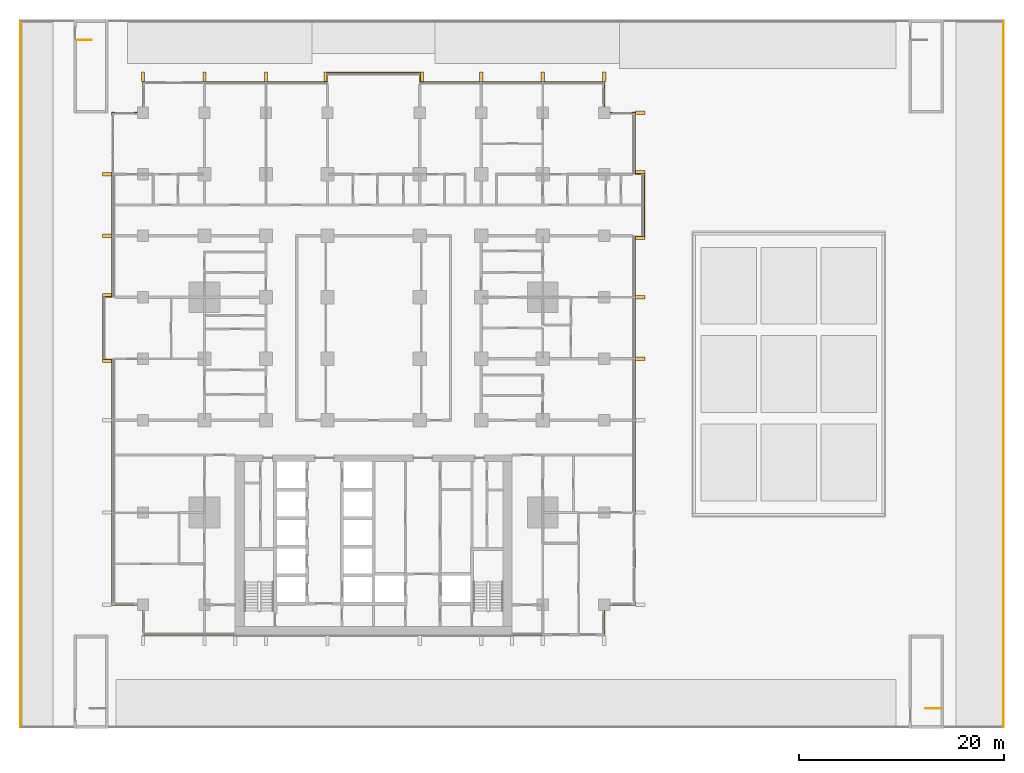
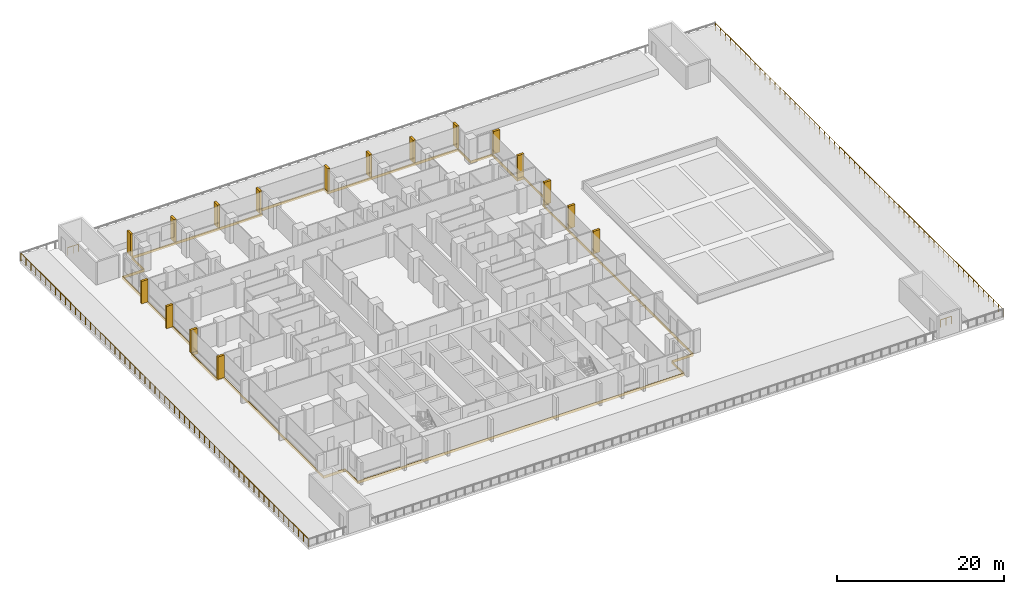
# One storey, part 24 of 25: 17 shading devices, 4 railings, 1 covering.
"""IFC4 building model written with IfcOpenShell, lengths in metres."""

from ifc_helpers import new_model, si_unit, direction, frame, origin, origin_2d, place, context, subcontext, project, spatial, polyline, rectangle, circle, outline, extrude, material, layer, layer_set, type_object, element, save


model = new_model("IFC4")

# Units and contexts
model_context = context("Model", 3, precision=1e-05, world=origin(), true_north=direction((0.0, 1.0)))
body_context = subcontext(model_context, "Body", "Model", "MODEL_VIEW")
ifc_project = project(units=[si_unit("LENGTHUNIT", "METRE"), si_unit("AREAUNIT", "SQUARE_METRE"), si_unit("VOLUMEUNIT", "CUBIC_METRE"), si_unit("PLANEANGLEUNIT", "RADIAN"), si_unit("MASSUNIT", "GRAM", prefix="KILO")], contexts=[model_context])

# Site, building, storey
site_placement = place(None, origin())
site = spatial("IfcSite", under=ifc_project, at=site_placement, CompositionType="ELEMENT")
building_placement = place(site_placement, origin())
building = spatial("IfcBuilding", under=site, at=building_placement, Name="Finial Court Residences", CompositionType="ELEMENT")
storey_placement = place(building_placement, frame((0.0, 0.0, 32.5)))
storey = spatial("IfcBuildingStorey", under=building, at=storey_placement, Name="L06", CompositionType="ELEMENT", Elevation=32.5)

# Shading devices
ifc_material_1 = material(Name="Natural limestone", Category="masonry")
shading_device_type = type_object("IfcShadingDeviceType", Name="Limestone fin 300 x 900", PredefinedType="USERDEFINED", material=ifc_material_1)
for number, where, z_axis, x_axis, name in (
    (1, (-22.5, 29.010009765625, 0.0), (0.0, 0.0, 1.0), (1.0, 0.0, 0.0), "E-L06-FIN-N1"),
    (2, (-16.5, 29.010009765625, 0.0), (0.0, 0.0, 1.0), (1.0, 0.0, 0.0), "E-L06-FIN-N2"),
    (3, (-10.5, 29.010009765625, 0.0), (0.0, 0.0, 1.0), (1.0, 0.0, 0.0), "E-L06-FIN-N3"),
    (4, (-4.7099609375, 29.010009765625, 0.0), (0.0, 0.0, 1.0), (1.0, 0.0, 0.0), "E-L06-FIN-N4"),
    (5, (4.7099609375, 29.010009765625, 0.0), (0.0, 0.0, 1.0), (1.0, 0.0, 0.0), "E-L06-FIN-N5"),
    (6, (10.5, 29.010009765625, 0.0), (0.0, 0.0, 1.0), (1.0, 0.0, 0.0), "E-L06-FIN-N6"),
    (7, (16.5, 29.010009765625, 0.0), (0.0, 0.0, 1.0), (1.0, 0.0, 0.0), "E-L06-FIN-N7"),
    (8, (22.5, 29.010009765625, 0.0), (0.0, 0.0, 1.0), (1.0, 0.0, 0.0), "E-L06-FIN-N8"),
):
    element("IfcShadingDevice", number, at=place(storey_placement, frame(where, z_axis=z_axis, x_axis=x_axis)), inside=storey, type_object=shading_device_type, Name=name, ObjectType="FIN", PredefinedType="USERDEFINED", context=body_context, shape_type="SweptSolid", body=[
        extrude(rectangle(XDim=0.300048828125, YDim=0.89990234375, at=origin_2d()), origin(), (0.0, 0.0, 1.0), 3.280029296875),
    ])
for number, where, z_axis, x_axis, name in (
    (9, (26.010009765625, 1.5, 0.0), (0.0, 0.0, 1.0), (1.0, 0.0, 0.0), "E-L06-FIN-E12"),
    (10, (26.010009765625, 7.5, 0.0), (0.0, 0.0, 1.0), (1.0, 0.0, 0.0), "E-L06-FIN-E13"),
    (11, (26.010009765625, 13.2900390625, 0.0), (0.0, 0.0, 1.0), (1.0, 0.0, 0.0), "E-L06-FIN-E14"),
    (12, (26.010009765625, 19.7099609375, 0.0), (0.0, 0.0, 1.0), (1.0, 0.0, 0.0), "E-L06-FIN-E15"),
    (13, (26.010009765625, 25.5, 0.0), (0.0, 0.0, 1.0), (1.0, 0.0, 0.0), "E-L06-FIN-E16"),
    (14, (-26.010009765625, 1.2900390625, 0.0), (0.0, 0.0, 1.0), (1.0, 0.0, 0.0), "E-L06-FIN-W30"),
    (15, (-26.010009765625, 7.7099609375, 0.0), (0.0, 0.0, 1.0), (1.0, 0.0, 0.0), "E-L06-FIN-W31"),
    (16, (-26.010009765625, 13.5, 0.0), (0.0, 0.0, 1.0), (1.0, 0.0, 0.0), "E-L06-FIN-W32"),
    (17, (-26.010009765625, 19.5, 0.0), (0.0, 0.0, 1.0), (1.0, 0.0, 0.0), "E-L06-FIN-W33"),
):
    element("IfcShadingDevice", number, at=place(storey_placement, frame(where, z_axis=z_axis, x_axis=x_axis)), inside=storey, type_object=shading_device_type, Name=name, ObjectType="FIN", PredefinedType="USERDEFINED", context=body_context, shape_type="SweptSolid", body=[
        extrude(rectangle(XDim=0.89990234375, YDim=0.300048828125, at=origin_2d()), origin(), (0.0, 0.0, 1.0), 3.280029296875),
    ])

# Covering
ifc_material_2 = material(Name="Pale limestone", Category="masonry")
ifc_layer = layer(ifc_material_2, 0.06005859375)
ifc_layer_set = layer_set([ifc_layer], Name="Pale limestone slab-edge band 60")
covering_type = type_object("IfcCoveringType", Name="Pale limestone slab-edge band 60", PredefinedType="CLADDING", material=ifc_layer_set)
covering_placement = place(storey_placement, frame((0.0, 0.0, -0.39990234375)))
element("IfcCovering", 18, at=covering_placement, inside=storey, type_object=covering_type, Name="E-L06-BAND1", PredefinedType="CLADDING", context=body_context, shape_type="SweptSolid", body=[
    extrude(outline(polyline([(-22.56005859375, -22.56005859375), (-25.56005859375, -22.56005859375), (-25.56005859375, 1.43994140625), (-26.4599609375, 1.43994140625), (-26.4599609375, 7.56005859375), (-25.56005859375, 7.56005859375), (-25.56005859375, 25.56005859375), (-22.56005859375, 25.56005859375), (-22.56005859375, 28.56005859375), (-4.56005859375, 28.56005859375), (-4.56005859375, 29.4599609375), (4.56005859375, 29.4599609375), (4.56005859375, 28.56005859375), (22.56005859375, 28.56005859375), (22.56005859375, 25.56005859375), (25.56005859375, 25.56005859375), (25.56005859375, 19.56005859375), (26.4599609375, 19.56005859375), (26.4599609375, 13.43994140625), (25.56005859375, 13.43994140625), (25.56005859375, -22.56005859375), (22.56005859375, -22.56005859375), (22.56005859375, -25.56005859375), (-22.56005859375, -25.56005859375), (-22.56005859375, -22.56005859375)]), holes=[polyline([(22.5, -25.5), (22.5, -22.5), (25.5, -22.5), (25.5, 13.5), (26.39990234375, 13.5), (26.39990234375, 19.5), (25.5, 19.5), (25.5, 25.5), (22.5, 25.5), (22.5, 28.5), (4.5, 28.5), (4.5, 29.39990234375), (-4.5, 29.39990234375), (-4.5, 28.5), (-22.5, 28.5), (-22.5, 25.5), (-25.5, 25.5), (-25.5, 7.5), (-26.39990234375, 7.5), (-26.39990234375, 1.5), (-25.5, 1.5), (-25.5, -22.5), (-22.5, -22.5), (-22.5, -25.5), (22.5, -25.5)])]), origin(), (0.0, 0.0, 1.0), 0.39990234375),
])

# Railings
ifc_material_3 = material(Name="Stainless steel railing", Category="steel")
railing_type_1 = type_object("IfcRailingType", Name="Stair guard 1100", PredefinedType="GUARDRAIL", material=ifc_material_3)
railing_1_placement = place(storey_placement, frame((55.35009765625, -32.60009765625, 0.0)))
element("IfcRailing", 19, at=railing_1_placement, inside=storey, type_object=railing_type_1, Name="L06 ST-3 top well guard 1", PredefinedType="GUARDRAIL", context=body_context, shape_type="SweptSolid", body=[
    extrude(circle(Radius=0.02392578125, at=origin_2d()), frame((0.0, 0.0, 1.076171875), z_axis=(-1.0, 0.0, 0.0), x_axis=(0.0, -1.0, 0.0)), (0.0, 0.0, 1.0), 1.5),
    extrude(circle(Radius=0.02099609375, at=origin_2d()), origin(), (0.0, 0.0, 1.0), 1.052001953125),
    extrude(circle(Radius=0.02099609375, at=origin_2d()), frame((-0.75, 0.0, 0.0)), (0.0, 0.0, 1.0), 1.052001953125),
    extrude(circle(Radius=0.02099609375, at=origin_2d()), frame((-1.5, 0.0, 0.0)), (0.0, 0.0, 1.0), 1.052001953125),
])
railing_2_placement = place(storey_placement, frame((-29.0, 32.60009765625, 0.0)))
element("IfcRailing", 20, at=railing_2_placement, inside=storey, type_object=railing_type_1, Name="L06 ST-6 top well guard 1", PredefinedType="GUARDRAIL", context=body_context, shape_type="SweptSolid", body=[
    extrude(circle(Radius=0.02392578125, at=origin_2d()), frame((0.0, 0.0, 1.076171875), z_axis=(1.0, 0.0, 0.0), x_axis=(0.0, 1.0, 0.0)), (0.0, 0.0, 1.0), 1.5),
    extrude(circle(Radius=0.02099609375, at=origin_2d()), origin(), (0.0, 0.0, 1.0), 1.052001953125),
    extrude(circle(Radius=0.02099609375, at=origin_2d()), frame((0.75, 0.0, 0.0)), (0.0, 0.0, 1.0), 1.052001953125),
    extrude(circle(Radius=0.02099609375, at=origin_2d()), frame((1.5, 0.0, 0.0)), (0.0, 0.0, 1.0), 1.052001953125),
])
ifc_material_4 = material(Name="Bronze anodised aluminium", Category="aluminium")
railing_type_2 = type_object("IfcRailingType", Name="Terrace guard 1100", PredefinedType="GUARDRAIL", material=ifc_material_4)
railing_3_placement = place(storey_placement, frame((61.43994140625, 34.389892578125, 0.0)))
element("IfcRailing", 21, at=railing_3_placement, inside=storey, type_object=railing_type_2, Name="E-L06-TER1-R1-2", PredefinedType="GUARDRAIL", context=body_context, shape_type="SweptSolid", body=[
    extrude(circle(Radius=0.02392578125, at=origin_2d()), frame((0.0, 0.0, 1.076171875), z_axis=(0.0, -1.0, 0.0), x_axis=(1.0, 0.0, 0.0)), (0.0, 0.0, 1.0), 68.829833984375),
    extrude(circle(Radius=0.02099609375, at=origin_2d()), origin(), (0.0, 0.0, 1.0), 1.052001953125),
    extrude(circle(Radius=0.02099609375, at=origin_2d()), frame((0.0, -1.186767578125, 0.0)), (0.0, 0.0, 1.0), 1.052001953125),
    extrude(circle(Radius=0.02099609375, at=origin_2d()), frame((0.0, -2.37353515625, 0.0)), (0.0, 0.0, 1.0), 1.052001953125),
    extrude(circle(Radius=0.02099609375, at=origin_2d()), frame((0.0, -3.56005859375, 0.0)), (0.0, 0.0, 1.0), 1.052001953125),
    extrude(circle(Radius=0.02099609375, at=origin_2d()), frame((0.0, -4.746826171875, 0.0)), (0.0, 0.0, 1.0), 1.052001953125),
    extrude(circle(Radius=0.02099609375, at=origin_2d()), frame((0.0, -5.93359375, 0.0)), (0.0, 0.0, 1.0), 1.052001953125),
    extrude(circle(Radius=0.02099609375, at=origin_2d()), frame((0.0, -7.120361328125, 0.0)), (0.0, 0.0, 1.0), 1.052001953125),
    extrude(circle(Radius=0.02099609375, at=origin_2d()), frame((0.0, -8.30712890625, 0.0)), (0.0, 0.0, 1.0), 1.052001953125),
    extrude(circle(Radius=0.02099609375, at=origin_2d()), frame((0.0, -9.49365234375, 0.0)), (0.0, 0.0, 1.0), 1.052001953125),
    extrude(circle(Radius=0.02099609375, at=origin_2d()), frame((0.0, -10.680419921875, 0.0)), (0.0, 0.0, 1.0), 1.052001953125),
    extrude(circle(Radius=0.02099609375, at=origin_2d()), frame((0.0, -11.8671875, 0.0)), (0.0, 0.0, 1.0), 1.052001953125),
    extrude(circle(Radius=0.02099609375, at=origin_2d()), frame((0.0, -13.053955078125, 0.0)), (0.0, 0.0, 1.0), 1.052001953125),
    extrude(circle(Radius=0.02099609375, at=origin_2d()), frame((0.0, -14.24072265625, 0.0)), (0.0, 0.0, 1.0), 1.052001953125),
    extrude(circle(Radius=0.02099609375, at=origin_2d()), frame((0.0, -15.427490234375, 0.0)), (0.0, 0.0, 1.0), 1.052001953125),
    extrude(circle(Radius=0.02099609375, at=origin_2d()), frame((0.0, -16.614013671875, 0.0)), (0.0, 0.0, 1.0), 1.052001953125),
    extrude(circle(Radius=0.02099609375, at=origin_2d()), frame((0.0, -17.80078125, 0.0)), (0.0, 0.0, 1.0), 1.052001953125),
    extrude(circle(Radius=0.02099609375, at=origin_2d()), frame((0.0, -18.987548828125, 0.0)), (0.0, 0.0, 1.0), 1.052001953125),
    extrude(circle(Radius=0.02099609375, at=origin_2d()), frame((0.0, -20.17431640625, 0.0)), (0.0, 0.0, 1.0), 1.052001953125),
    extrude(circle(Radius=0.02099609375, at=origin_2d()), frame((0.0, -21.361083984375, 0.0)), (0.0, 0.0, 1.0), 1.052001953125),
    extrude(circle(Radius=0.02099609375, at=origin_2d()), frame((0.0, -22.547607421875, 0.0)), (0.0, 0.0, 1.0), 1.052001953125),
    extrude(circle(Radius=0.02099609375, at=origin_2d()), frame((0.0, -23.734375, 0.0)), (0.0, 0.0, 1.0), 1.052001953125),
    extrude(circle(Radius=0.02099609375, at=origin_2d()), frame((0.0, -24.921142578125, 0.0)), (0.0, 0.0, 1.0), 1.052001953125),
    extrude(circle(Radius=0.02099609375, at=origin_2d()), frame((0.0, -26.10791015625, 0.0)), (0.0, 0.0, 1.0), 1.052001953125),
    extrude(circle(Radius=0.02099609375, at=origin_2d()), frame((0.0, -27.294677734375, 0.0)), (0.0, 0.0, 1.0), 1.052001953125),
    extrude(circle(Radius=0.02099609375, at=origin_2d()), frame((0.0, -28.481201171875, 0.0)), (0.0, 0.0, 1.0), 1.052001953125),
    extrude(circle(Radius=0.02099609375, at=origin_2d()), frame((0.0, -29.66796875, 0.0)), (0.0, 0.0, 1.0), 1.052001953125),
    extrude(circle(Radius=0.02099609375, at=origin_2d()), frame((0.0, -30.854736328125, 0.0)), (0.0, 0.0, 1.0), 1.052001953125),
    extrude(circle(Radius=0.02099609375, at=origin_2d()), frame((0.0, -32.04150390625, 0.0)), (0.0, 0.0, 1.0), 1.052001953125),
    extrude(circle(Radius=0.02099609375, at=origin_2d()), frame((0.0, -33.228271484375, 0.0)), (0.0, 0.0, 1.0), 1.052001953125),
    extrude(circle(Radius=0.02099609375, at=origin_2d()), frame((0.0, -34.4150390625, 0.0)), (0.0, 0.0, 1.0), 1.052001953125),
    extrude(circle(Radius=0.02099609375, at=origin_2d()), frame((0.0, -35.6015625, 0.0)), (0.0, 0.0, 1.0), 1.052001953125),
    extrude(circle(Radius=0.02099609375, at=origin_2d()), frame((0.0, -36.788330078125, 0.0)), (0.0, 0.0, 1.0), 1.052001953125),
    extrude(circle(Radius=0.02099609375, at=origin_2d()), frame((0.0, -37.97509765625, 0.0)), (0.0, 0.0, 1.0), 1.052001953125),
    extrude(circle(Radius=0.02099609375, at=origin_2d()), frame((0.0, -39.161865234375, 0.0)), (0.0, 0.0, 1.0), 1.052001953125),
    extrude(circle(Radius=0.02099609375, at=origin_2d()), frame((0.0, -40.3486328125, 0.0)), (0.0, 0.0, 1.0), 1.052001953125),
    extrude(circle(Radius=0.02099609375, at=origin_2d()), frame((0.0, -41.53515625, 0.0)), (0.0, 0.0, 1.0), 1.052001953125),
    extrude(circle(Radius=0.02099609375, at=origin_2d()), frame((0.0, -42.721923828125, 0.0)), (0.0, 0.0, 1.0), 1.052001953125),
    extrude(circle(Radius=0.02099609375, at=origin_2d()), frame((0.0, -43.90869140625, 0.0)), (0.0, 0.0, 1.0), 1.052001953125),
    extrude(circle(Radius=0.02099609375, at=origin_2d()), frame((0.0, -45.095458984375, 0.0)), (0.0, 0.0, 1.0), 1.052001953125),
    extrude(circle(Radius=0.02099609375, at=origin_2d()), frame((0.0, -46.2822265625, 0.0)), (0.0, 0.0, 1.0), 1.052001953125),
    extrude(circle(Radius=0.02099609375, at=origin_2d()), frame((0.0, -47.46875, 0.0)), (0.0, 0.0, 1.0), 1.052001953125),
    extrude(circle(Radius=0.02099609375, at=origin_2d()), frame((0.0, -48.655517578125, 0.0)), (0.0, 0.0, 1.0), 1.052001953125),
    extrude(circle(Radius=0.02099609375, at=origin_2d()), frame((0.0, -49.84228515625, 0.0)), (0.0, 0.0, 1.0), 1.052001953125),
    extrude(circle(Radius=0.02099609375, at=origin_2d()), frame((0.0, -51.029052734375, 0.0)), (0.0, 0.0, 1.0), 1.052001953125),
    extrude(circle(Radius=0.02099609375, at=origin_2d()), frame((0.0, -52.2158203125, 0.0)), (0.0, 0.0, 1.0), 1.052001953125),
    extrude(circle(Radius=0.02099609375, at=origin_2d()), frame((0.0, -53.40234375, 0.0)), (0.0, 0.0, 1.0), 1.052001953125),
    extrude(circle(Radius=0.02099609375, at=origin_2d()), frame((0.0, -54.589111328125, 0.0)), (0.0, 0.0, 1.0), 1.052001953125),
    extrude(circle(Radius=0.02099609375, at=origin_2d()), frame((0.0, -55.77587890625, 0.0)), (0.0, 0.0, 1.0), 1.052001953125),
    extrude(circle(Radius=0.02099609375, at=origin_2d()), frame((0.0, -56.962646484375, 0.0)), (0.0, 0.0, 1.0), 1.052001953125),
    extrude(circle(Radius=0.02099609375, at=origin_2d()), frame((0.0, -58.1494140625, 0.0)), (0.0, 0.0, 1.0), 1.052001953125),
    extrude(circle(Radius=0.02099609375, at=origin_2d()), frame((0.0, -59.336181640625, 0.0)), (0.0, 0.0, 1.0), 1.052001953125),
    extrude(circle(Radius=0.02099609375, at=origin_2d()), frame((0.0, -60.522705078125, 0.0)), (0.0, 0.0, 1.0), 1.052001953125),
    extrude(circle(Radius=0.02099609375, at=origin_2d()), frame((0.0, -61.70947265625, 0.0)), (0.0, 0.0, 1.0), 1.052001953125),
    extrude(circle(Radius=0.02099609375, at=origin_2d()), frame((0.0, -62.896240234375, 0.0)), (0.0, 0.0, 1.0), 1.052001953125),
    extrude(circle(Radius=0.02099609375, at=origin_2d()), frame((0.0, -64.0830078125, 0.0)), (0.0, 0.0, 1.0), 1.052001953125),
    extrude(circle(Radius=0.02099609375, at=origin_2d()), frame((0.0, -65.269775390625, 0.0)), (0.0, 0.0, 1.0), 1.052001953125),
    extrude(circle(Radius=0.02099609375, at=origin_2d()), frame((0.0, -66.456298828125, 0.0)), (0.0, 0.0, 1.0), 1.052001953125),
    extrude(circle(Radius=0.02099609375, at=origin_2d()), frame((0.0, -67.64306640625, 0.0)), (0.0, 0.0, 1.0), 1.052001953125),
    extrude(circle(Radius=0.02099609375, at=origin_2d()), frame((0.0, -68.829833984375, 0.0)), (0.0, 0.0, 1.0), 1.052001953125),
])
railing_4_placement = place(storey_placement, frame((-34.43994140625, -34.389892578125, 0.0)))
element("IfcRailing", 22, at=railing_4_placement, inside=storey, type_object=railing_type_2, Name="E-L06-TER1-R1-4", PredefinedType="GUARDRAIL", context=body_context, shape_type="SweptSolid", body=[
    extrude(circle(Radius=0.02392578125, at=origin_2d()), frame((0.0, 0.0, 1.076171875), z_axis=(0.0, 1.0, 0.0), x_axis=(-1.0, 0.0, 0.0)), (0.0, 0.0, 1.0), 68.769775390625),
    extrude(circle(Radius=0.02099609375, at=origin_2d()), origin(), (0.0, 0.0, 1.0), 1.052001953125),
    extrude(circle(Radius=0.02099609375, at=origin_2d()), frame((0.0, 1.185791015625, 0.0)), (0.0, 0.0, 1.0), 1.052001953125),
    extrude(circle(Radius=0.02099609375, at=origin_2d()), frame((0.0, 2.371337890625, 0.0)), (0.0, 0.0, 1.0), 1.052001953125),
    extrude(circle(Radius=0.02099609375, at=origin_2d()), frame((0.0, 3.55712890625, 0.0)), (0.0, 0.0, 1.0), 1.052001953125),
    extrude(circle(Radius=0.02099609375, at=origin_2d()), frame((0.0, 4.74267578125, 0.0)), (0.0, 0.0, 1.0), 1.052001953125),
    extrude(circle(Radius=0.02099609375, at=origin_2d()), frame((0.0, 5.928466796875, 0.0)), (0.0, 0.0, 1.0), 1.052001953125),
    extrude(circle(Radius=0.02099609375, at=origin_2d()), frame((0.0, 7.114013671875, 0.0)), (0.0, 0.0, 1.0), 1.052001953125),
    extrude(circle(Radius=0.02099609375, at=origin_2d()), frame((0.0, 8.2998046875, 0.0)), (0.0, 0.0, 1.0), 1.052001953125),
    extrude(circle(Radius=0.02099609375, at=origin_2d()), frame((0.0, 9.485595703125, 0.0)), (0.0, 0.0, 1.0), 1.052001953125),
    extrude(circle(Radius=0.02099609375, at=origin_2d()), frame((0.0, 10.671142578125, 0.0)), (0.0, 0.0, 1.0), 1.052001953125),
    extrude(circle(Radius=0.02099609375, at=origin_2d()), frame((0.0, 11.85693359375, 0.0)), (0.0, 0.0, 1.0), 1.052001953125),
    extrude(circle(Radius=0.02099609375, at=origin_2d()), frame((0.0, 13.04248046875, 0.0)), (0.0, 0.0, 1.0), 1.052001953125),
    extrude(circle(Radius=0.02099609375, at=origin_2d()), frame((0.0, 14.228271484375, 0.0)), (0.0, 0.0, 1.0), 1.052001953125),
    extrude(circle(Radius=0.02099609375, at=origin_2d()), frame((0.0, 15.413818359375, 0.0)), (0.0, 0.0, 1.0), 1.052001953125),
    extrude(circle(Radius=0.02099609375, at=origin_2d()), frame((0.0, 16.599609375, 0.0)), (0.0, 0.0, 1.0), 1.052001953125),
    extrude(circle(Radius=0.02099609375, at=origin_2d()), frame((0.0, 17.785400390625, 0.0)), (0.0, 0.0, 1.0), 1.052001953125),
    extrude(circle(Radius=0.02099609375, at=origin_2d()), frame((0.0, 18.970947265625, 0.0)), (0.0, 0.0, 1.0), 1.052001953125),
    extrude(circle(Radius=0.02099609375, at=origin_2d()), frame((0.0, 20.15673828125, 0.0)), (0.0, 0.0, 1.0), 1.052001953125),
    extrude(circle(Radius=0.02099609375, at=origin_2d()), frame((0.0, 21.34228515625, 0.0)), (0.0, 0.0, 1.0), 1.052001953125),
    extrude(circle(Radius=0.02099609375, at=origin_2d()), frame((0.0, 22.528076171875, 0.0)), (0.0, 0.0, 1.0), 1.052001953125),
    extrude(circle(Radius=0.02099609375, at=origin_2d()), frame((0.0, 23.713623046875, 0.0)), (0.0, 0.0, 1.0), 1.052001953125),
    extrude(circle(Radius=0.02099609375, at=origin_2d()), frame((0.0, 24.8994140625, 0.0)), (0.0, 0.0, 1.0), 1.052001953125),
    extrude(circle(Radius=0.02099609375, at=origin_2d()), frame((0.0, 26.085205078125, 0.0)), (0.0, 0.0, 1.0), 1.052001953125),
    extrude(circle(Radius=0.02099609375, at=origin_2d()), frame((0.0, 27.270751953125, 0.0)), (0.0, 0.0, 1.0), 1.052001953125),
    extrude(circle(Radius=0.02099609375, at=origin_2d()), frame((0.0, 28.45654296875, 0.0)), (0.0, 0.0, 1.0), 1.052001953125),
    extrude(circle(Radius=0.02099609375, at=origin_2d()), frame((0.0, 29.64208984375, 0.0)), (0.0, 0.0, 1.0), 1.052001953125),
    extrude(circle(Radius=0.02099609375, at=origin_2d()), frame((0.0, 30.827880859375, 0.0)), (0.0, 0.0, 1.0), 1.052001953125),
    extrude(circle(Radius=0.02099609375, at=origin_2d()), frame((0.0, 32.013427734375, 0.0)), (0.0, 0.0, 1.0), 1.052001953125),
    extrude(circle(Radius=0.02099609375, at=origin_2d()), frame((0.0, 33.19921875, 0.0)), (0.0, 0.0, 1.0), 1.052001953125),
    extrude(circle(Radius=0.02099609375, at=origin_2d()), frame((0.0, 34.384765625, 0.0)), (0.0, 0.0, 1.0), 1.052001953125),
    extrude(circle(Radius=0.02099609375, at=origin_2d()), frame((0.0, 35.570556640625, 0.0)), (0.0, 0.0, 1.0), 1.052001953125),
    extrude(circle(Radius=0.02099609375, at=origin_2d()), frame((0.0, 36.75634765625, 0.0)), (0.0, 0.0, 1.0), 1.052001953125),
    extrude(circle(Radius=0.02099609375, at=origin_2d()), frame((0.0, 37.94189453125, 0.0)), (0.0, 0.0, 1.0), 1.052001953125),
    extrude(circle(Radius=0.02099609375, at=origin_2d()), frame((0.0, 39.127685546875, 0.0)), (0.0, 0.0, 1.0), 1.052001953125),
    extrude(circle(Radius=0.02099609375, at=origin_2d()), frame((0.0, 40.313232421875, 0.0)), (0.0, 0.0, 1.0), 1.052001953125),
    extrude(circle(Radius=0.02099609375, at=origin_2d()), frame((0.0, 41.4990234375, 0.0)), (0.0, 0.0, 1.0), 1.052001953125),
    extrude(circle(Radius=0.02099609375, at=origin_2d()), frame((0.0, 42.6845703125, 0.0)), (0.0, 0.0, 1.0), 1.052001953125),
    extrude(circle(Radius=0.02099609375, at=origin_2d()), frame((0.0, 43.870361328125, 0.0)), (0.0, 0.0, 1.0), 1.052001953125),
    extrude(circle(Radius=0.02099609375, at=origin_2d()), frame((0.0, 45.05615234375, 0.0)), (0.0, 0.0, 1.0), 1.052001953125),
    extrude(circle(Radius=0.02099609375, at=origin_2d()), frame((0.0, 46.24169921875, 0.0)), (0.0, 0.0, 1.0), 1.052001953125),
    extrude(circle(Radius=0.02099609375, at=origin_2d()), frame((0.0, 47.427490234375, 0.0)), (0.0, 0.0, 1.0), 1.052001953125),
    extrude(circle(Radius=0.02099609375, at=origin_2d()), frame((0.0, 48.613037109375, 0.0)), (0.0, 0.0, 1.0), 1.052001953125),
    extrude(circle(Radius=0.02099609375, at=origin_2d()), frame((0.0, 49.798828125, 0.0)), (0.0, 0.0, 1.0), 1.052001953125),
    extrude(circle(Radius=0.02099609375, at=origin_2d()), frame((0.0, 50.984375, 0.0)), (0.0, 0.0, 1.0), 1.052001953125),
    extrude(circle(Radius=0.02099609375, at=origin_2d()), frame((0.0, 52.170166015625, 0.0)), (0.0, 0.0, 1.0), 1.052001953125),
    extrude(circle(Radius=0.02099609375, at=origin_2d()), frame((0.0, 53.35595703125, 0.0)), (0.0, 0.0, 1.0), 1.052001953125),
    extrude(circle(Radius=0.02099609375, at=origin_2d()), frame((0.0, 54.54150390625, 0.0)), (0.0, 0.0, 1.0), 1.052001953125),
    extrude(circle(Radius=0.02099609375, at=origin_2d()), frame((0.0, 55.727294921875, 0.0)), (0.0, 0.0, 1.0), 1.052001953125),
    extrude(circle(Radius=0.02099609375, at=origin_2d()), frame((0.0, 56.912841796875, 0.0)), (0.0, 0.0, 1.0), 1.052001953125),
    extrude(circle(Radius=0.02099609375, at=origin_2d()), frame((0.0, 58.0986328125, 0.0)), (0.0, 0.0, 1.0), 1.052001953125),
    extrude(circle(Radius=0.02099609375, at=origin_2d()), frame((0.0, 59.2841796875, 0.0)), (0.0, 0.0, 1.0), 1.052001953125),
    extrude(circle(Radius=0.02099609375, at=origin_2d()), frame((0.0, 60.469970703125, 0.0)), (0.0, 0.0, 1.0), 1.052001953125),
    extrude(circle(Radius=0.02099609375, at=origin_2d()), frame((0.0, 61.65576171875, 0.0)), (0.0, 0.0, 1.0), 1.052001953125),
    extrude(circle(Radius=0.02099609375, at=origin_2d()), frame((0.0, 62.84130859375, 0.0)), (0.0, 0.0, 1.0), 1.052001953125),
    extrude(circle(Radius=0.02099609375, at=origin_2d()), frame((0.0, 64.027099609375, 0.0)), (0.0, 0.0, 1.0), 1.052001953125),
    extrude(circle(Radius=0.02099609375, at=origin_2d()), frame((0.0, 65.212646484375, 0.0)), (0.0, 0.0, 1.0), 1.052001953125),
    extrude(circle(Radius=0.02099609375, at=origin_2d()), frame((0.0, 66.3984375, 0.0)), (0.0, 0.0, 1.0), 1.052001953125),
    extrude(circle(Radius=0.02099609375, at=origin_2d()), frame((0.0, 67.583984375, 0.0)), (0.0, 0.0, 1.0), 1.052001953125),
    extrude(circle(Radius=0.02099609375, at=origin_2d()), frame((0.0, 68.769775390625, 0.0)), (0.0, 0.0, 1.0), 1.052001953125),
])

save(model, "model.ifc")
